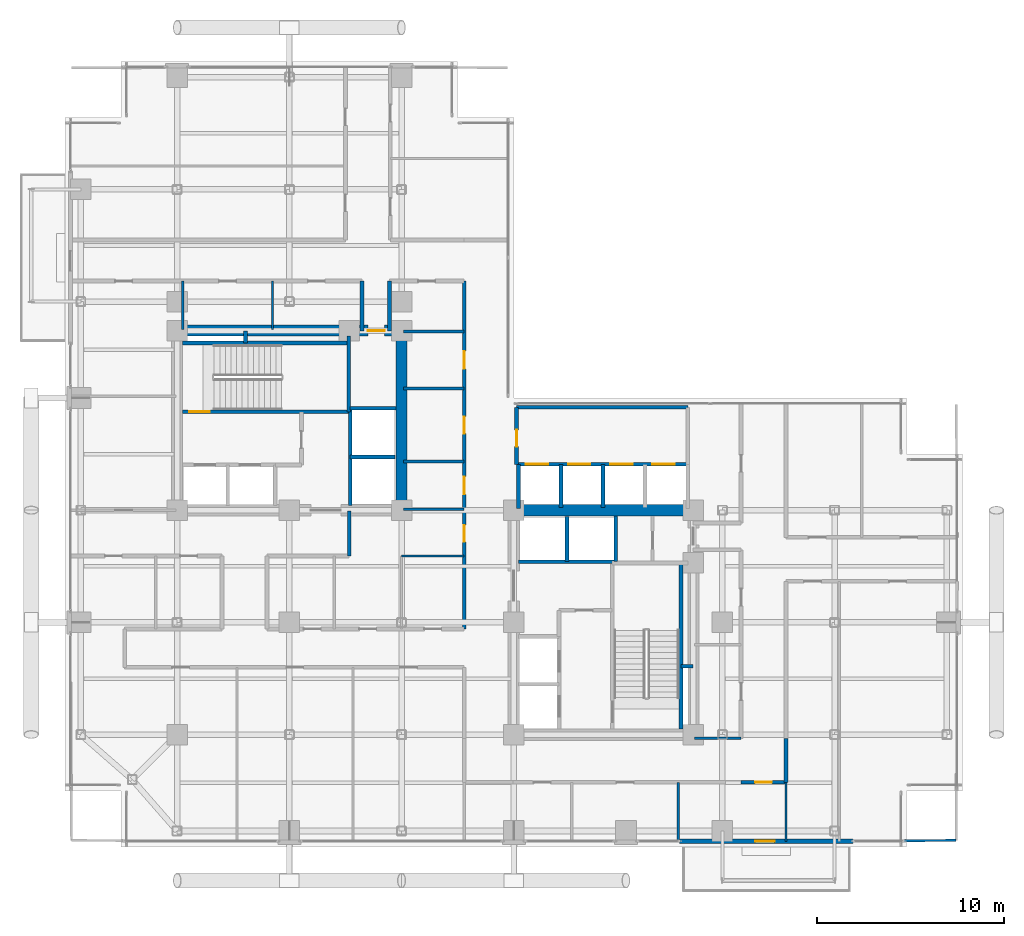
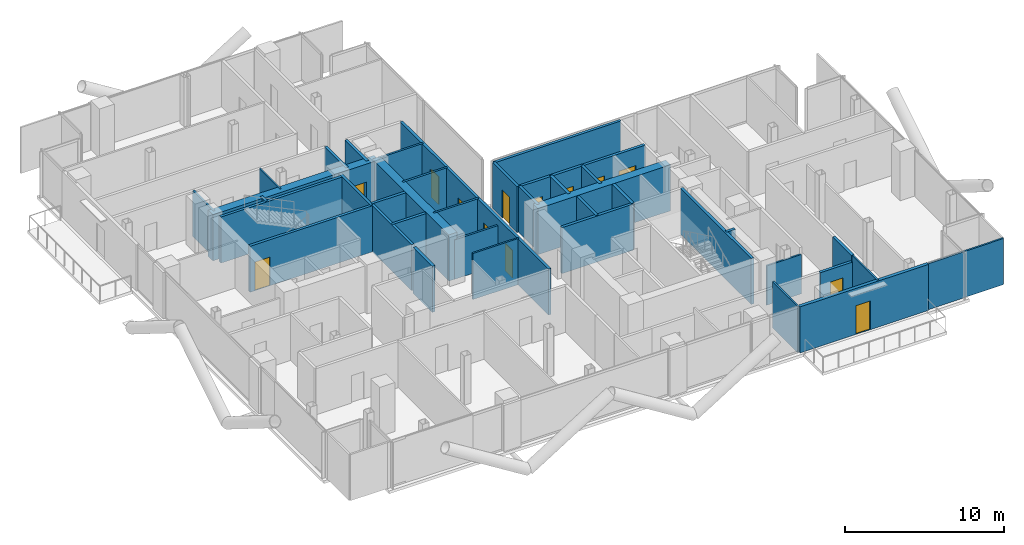
# One storey, part 23 of 28: 39 walls, 13 doors, 13 openings.
"""IFC4 building model written with IfcOpenShell, lengths in metres."""

import ifcopenshell
import ifcopenshell.guid

model = None  # the IFC model being written
_history = None  # IfcOwnerHistory: only IFC2X3 demands one
_inside = {}  # id of a spatial element -> (the spatial element, [elements in it])
_under = {}  # id of a project, library or spatial element -> (it, [spatial elements below it])
_declared = {}  # id of a project -> (the project, [libraries it declares])
_typed = {}  # id of a type object -> (the type object, [elements of that type])
_made_of = {}  # id of a material, layer set ... -> (it, [elements and type objects made of it])


def new_model(schema):
    """Start an empty IFC model of exactly this schema.

    Asked for "IFC4X3", IfcOpenShell would pick the latest addendum, in which some entities
    have other attributes; the version numbers below select the first issue.
    IFC2X3 requires an IfcOwnerHistory on every rooted entity: one is made here for all.
    """
    global model, _history
    if schema == "IFC4X3":
        model = ifcopenshell.file(schema_version=(4, 3, 0, 0))
    else:
        model = ifcopenshell.file(schema=schema)
    _inside.clear()
    _under.clear()
    _declared.clear()
    _typed.clear()
    _made_of.clear()
    _history = None
    if model.schema == "IFC2X3":
        org = make("IfcOrganization", Name="unknown")
        user = make(
            "IfcPersonAndOrganization",
            ThePerson=make("IfcPerson", FamilyName="unknown"),
            TheOrganization=org,
        )
        app = make(
            "IfcApplication",
            ApplicationDeveloper=org,
            Version="unknown",
            ApplicationFullName="unknown",
            ApplicationIdentifier="unknown",
        )
        _history = make(
            "IfcOwnerHistory",
            OwningUser=user,
            OwningApplication=app,
            ChangeAction="ADDED",
            CreationDate=0,
        )
    return model


def make(cls, **values):
    """One entity of the class cls with the attributes given. An attribute that is None is left unset."""
    return model.create_entity(
        cls, **{name: value for name, value in values.items() if value is not None}
    )


def rooted(cls, **values):
    """An entity with a GlobalId (a new one), such as an element, a storey or a relation."""
    return make(cls, GlobalId=ifcopenshell.guid.new(), OwnerHistory=_history, **values)


def si_unit(unit_type, name, prefix=None):
    """IfcSIUnit, for example si_unit("LENGTHUNIT", "METRE", prefix="MILLI")."""
    return make("IfcSIUnit", UnitType=unit_type, Prefix=prefix, Name=name)


def assignment(units):
    """IfcUnitAssignment: the units of a project."""
    return None if units is None else make("IfcUnitAssignment", Units=units)


def point(xyz):
    """IfcCartesianPoint."""
    return None if xyz is None else make("IfcCartesianPoint", Coordinates=xyz)


def direction(xyz):
    """IfcDirection."""
    return None if xyz is None else make("IfcDirection", DirectionRatios=xyz)


def frame(location, z_axis=None, x_axis=None):
    """IfcAxis2Placement3D, a coordinate frame: its origin and axes. An axis left out is left unset."""
    return make(
        "IfcAxis2Placement3D",
        Location=point(location),
        Axis=direction(z_axis),
        RefDirection=direction(x_axis),
    )


def frame_2d(location, x_axis=None):
    """IfcAxis2Placement2D, a coordinate frame in the plane: its origin and x axis."""
    return make(
        "IfcAxis2Placement2D", Location=point(location), RefDirection=direction(x_axis)
    )


def origin():
    """The frame at (0, 0, 0) with its axes left unset."""
    return frame((0.0, 0.0, 0.0))


def place(relative_to, where):
    """IfcLocalPlacement: puts the frame where relative to a parent placement (None: the world)."""
    return make(
        "IfcLocalPlacement", PlacementRelTo=relative_to, RelativePlacement=where
    )


def context(
    kind, dimensions, precision=None, world=None, true_north=None, identifier=None
):
    """IfcGeometricRepresentationContext, for example the 3D "Model" context."""
    return make(
        "IfcGeometricRepresentationContext",
        ContextIdentifier=identifier,
        ContextType=kind,
        CoordinateSpaceDimension=dimensions,
        Precision=precision,
        WorldCoordinateSystem=world,
        TrueNorth=true_north,
    )


def subcontext(parent, identifier, kind, view, scale=None):
    """IfcGeometricRepresentationSubContext, for example "Body" below "Model"."""
    return make(
        "IfcGeometricRepresentationSubContext",
        ContextIdentifier=identifier,
        ContextType=kind,
        ParentContext=parent,
        TargetScale=scale,
        TargetView=view,
    )


def project(units=None, contexts=None):
    """IfcProject with its units and contexts."""
    return rooted(
        "IfcProject",
        Name="project",
        RepresentationContexts=contexts,
        UnitsInContext=assignment(units),
    )


def spatial(cls, under=None, at=None, **own):
    """A site, building, storey or space (cls), placed at a placement, below another one or the project."""
    s = rooted(cls, ObjectPlacement=at, **own)
    if under is not None:
        _under.setdefault(under.id(), (under, []))[1].append(s)
    return s


def profile(cls, at=None, kind="AREA", **sizes):
    """A parametric profile (cls). Its sizes go by their IFC names, for example OverallWidth=200.0."""
    return make(cls, ProfileType=kind, Position=at, **sizes)


def rectangle(**sizes):
    """IfcRectangleProfileDef."""
    return profile("IfcRectangleProfileDef", **sizes)


def extrude(swept, where, along, depth):
    """IfcExtrudedAreaSolid: the profile swept, set in the frame where, extruded along a direction by depth."""
    return make(
        "IfcExtrudedAreaSolid",
        SweptArea=swept,
        Position=where,
        ExtrudedDirection=direction(along),
        Depth=depth,
    )


def shape(context_of_items, identifier, shape_type, items):
    """IfcShapeRepresentation: the items that make up one representation, for example the "Body"."""
    return make(
        "IfcShapeRepresentation",
        ContextOfItems=context_of_items,
        RepresentationIdentifier=identifier,
        RepresentationType=shape_type,
        Items=items,
    )


def material(Name=None, Category=None):
    """IfcMaterial."""
    return make("IfcMaterial", Name=Name, Category=Category)


def layer(
    of_material, thickness, ventilated=None, Name=None, Category=None, Priority=None
):
    """IfcMaterialLayer: one layer of a wall or slab, of a material (None: an air gap)."""
    return make(
        "IfcMaterialLayer",
        Material=of_material,
        LayerThickness=thickness,
        IsVentilated=ventilated,
        Name=Name,
        Category=Category,
        Priority=Priority,
    )


def layer_set(layers, Name=None):
    """IfcMaterialLayerSet."""
    return make("IfcMaterialLayerSet", MaterialLayers=layers, LayerSetName=Name)


def made_of(thing, what):
    """Note that an element or type object is made of a material, layer set ...; save() writes the relation."""
    if what is not None:
        _made_of.setdefault(what.id(), (what, []))[1].append(thing)
    return thing


def type_object(cls, material=None, **own):
    """A type object (cls), such as IfcWallType, which elements share."""
    return made_of(rooted(cls, **own), material)


def element(
    cls,
    number,
    at=None,
    inside=None,
    cuts=None,
    type_object=None,
    material=None,
    context=None,
    identifier="Body",
    shape_type=None,
    held_by="IfcProductDefinitionShape",
    body=None,
    shapes=None,
    **own,
):
    """One element of the class cls, such as IfcWall. Its Tag is "e" and its number.

    at: its placement. inside: the storey or other place that contains it. cuts: it is an
    opening in that element (IfcRelVoidsElement). A single representation is given by context,
    identifier, shape_type and body (its items); several are given by shapes. held_by: the class
    of the entity that holds the representations. save() writes the other relations.
    """
    e = rooted(cls, Tag="e%d" % number, ObjectPlacement=at, **own)
    if body is not None:
        shapes = [shape(context, identifier, shape_type, body)]
    if shapes is not None:
        e.Representation = make(held_by, Representations=shapes)
    if inside is not None:
        _inside.setdefault(inside.id(), (inside, []))[1].append(e)
    if cuts is not None:
        rooted(
            "IfcRelVoidsElement", RelatingBuildingElement=cuts, RelatedOpeningElement=e
        )
    if type_object is not None:
        _typed.setdefault(type_object.id(), (type_object, []))[1].append(e)
    return made_of(e, material)


def fill(opening, filler):
    """IfcRelFillsElement: the door or window that sits in an opening."""
    return rooted(
        "IfcRelFillsElement",
        RelatingOpeningElement=opening,
        RelatedBuildingElement=filler,
    )


def aggregate(whole, parts):
    """IfcRelAggregates: a whole, such as a stair, and the parts it consists of."""
    return rooted("IfcRelAggregates", RelatingObject=whole, RelatedObjects=parts)


def save(model, path):
    """Write the relations noted so far, then the file.

    IfcRelAggregates (storeys below a building ...), IfcRelContainedInSpatialStructure (elements
    in a storey), IfcRelDefinesByType, IfcRelAssociatesMaterial and IfcRelDeclares: one each for
    every whole, place, type object, material and project.
    """
    for whole, parts in _under.values():
        aggregate(whole, parts)
    for where, things in _inside.values():
        rooted(
            "IfcRelContainedInSpatialStructure",
            RelatedElements=things,
            RelatingStructure=where,
        )
    for kind, things in _typed.values():
        rooted("IfcRelDefinesByType", RelatedObjects=things, RelatingType=kind)
    for what, things in _made_of.values():
        rooted("IfcRelAssociatesMaterial", RelatedObjects=things, RelatingMaterial=what)
    for by, libraries in _declared.values():
        rooted("IfcRelDeclares", RelatingContext=by, RelatedDefinitions=libraries)
    model.write(path)


model = new_model("IFC4")

# Units and contexts
model_context = context("Model", 3, precision=1e-05, world=origin(), true_north=direction((0.0, 1.0)))
body_context = subcontext(model_context, "Body", "Model", "MODEL_VIEW")
ifc_project = project(units=[si_unit("LENGTHUNIT", "METRE"), si_unit("AREAUNIT", "SQUARE_METRE"), si_unit("VOLUMEUNIT", "CUBIC_METRE"), si_unit("PLANEANGLEUNIT", "RADIAN"), si_unit("MASSUNIT", "GRAM", prefix="KILO"), si_unit("THERMODYNAMICTEMPERATUREUNIT", "KELVIN"), si_unit("POWERUNIT", "WATT")], contexts=[model_context])

# Site, building, storey
site_placement = place(None, origin())
site = spatial("IfcSite", under=ifc_project, at=site_placement, CompositionType="ELEMENT")
building_placement = place(site_placement, origin())
building = spatial("IfcBuilding", under=site, at=building_placement, Name="Svarakhadi Broadcast Tower", CompositionType="ELEMENT")
storey_placement = place(building_placement, frame((0.0, 0.0, 153.14990234375)))
storey = spatial("IfcBuildingStorey", under=building, at=storey_placement, Name="L37", CompositionType="ELEMENT", Elevation=153.14990234375)

# Wall, opening, door
ifc_material_1 = material(Name="Concrete C40/50 (IS 456 M50)", Category="concrete")
ifc_layer_1 = layer(ifc_material_1, 0.239990234375)
ifc_layer_set_1 = layer_set([ifc_layer_1], Name="Concrete C40/50 (IS 456 M50)")
wall_type_1 = type_object("IfcWallType", Name="Wall_Ext_240", PredefinedType="SOLIDWALL", material=ifc_layer_set_1)
wall_1_placement = place(storey_placement, frame((42.14501953125, 0.300048828125, 0.0), z_axis=(0.0, 0.0, 1.0), x_axis=(-1.0, 0.0, 0.0)))
wall_1 = element("IfcWall", 1, at=wall_1_placement, inside=storey, type_object=wall_type_1, Name="L37 South Tree Balcony Spandrel Wall", PredefinedType="SOLIDWALL", context=body_context, shape_type="SweptSolid", body=[
    extrude(rectangle(XDim=9.2900390625, YDim=0.239990234375, at=frame_2d((4.64501953125, 0.0))), origin(), (0.0, 0.0, 1.0), 3.525146484375),
])
opening_1_placement = place(wall_1_placement, frame((4.199951171875, 0.0, 0.0)))
opening_1 = element("IfcOpeningElement", 2, at=opening_1_placement, cuts=wall_1, Name="Opening ED-05", PredefinedType="OPENING", context=body_context, shape_type="SweptSolid", body=[
    extrude(rectangle(XDim=1.050048828125, YDim=2.199951171875, at=frame_2d((0.52490234375, 1.10009765625))), frame((0.0, 0.1298828125, 0.0), z_axis=(0.0, -1.0, 0.0), x_axis=(1.0, 0.0, 0.0)), (0.0, 0.0, 1.0), 0.260009765625),
])
ifc_material_2 = material(Name="Anodised Bronze Aluminium AA 6063-T6", Category="aluminium")
door_type_1 = type_object("IfcDoorType", Name="Door_Ext_ED05", OperationType="SINGLE_SWING_LEFT", PredefinedType="DOOR", material=ifc_material_2)
door_1_placement = place(opening_1_placement, origin())
door_1 = element("IfcDoor", 3, at=door_1_placement, inside=storey, type_object=door_type_1, Name="L37 South Tree Balcony Door", OperationType="SINGLE_SWING_LEFT", OverallHeight=2.199951171875, OverallWidth=1.050048828125, PredefinedType="DOOR", context=body_context, shape_type="SweptSolid", body=[
    extrude(rectangle(XDim=1.050048828125, YDim=2.199951171875, at=frame_2d((0.52490234375, 1.10009765625))), frame((0.0, 0.02490234375, 0.0), z_axis=(0.0, -1.0, 0.0), x_axis=(1.0, 0.0, 0.0)), (0.0, 0.0, 1.0), 0.050048828125),
])
fill(opening_1, door_1)

# Walls
ifc_layer_2 = layer(ifc_material_1, 0.199951171875)
ifc_layer_set_2 = layer_set([ifc_layer_2], Name="Concrete C40/50 (IS 456 M50)")
wall_type_2 = type_object("IfcWallType", Name="Wall_Fire_200", PredefinedType="SOLIDWALL", material=ifc_layer_set_2)
for number, where, z_axis, x_axis, name in (
    (4, (9.659912109375, 26.93994140625, 0.0), (0.0, 0.0, 1.0), (0.0, 1.0, 0.0), "L37 Wet Riser Shaft East Wall"),
    (5, (32.93994140625, 9.659912109375, 0.0), (0.0, 0.0, 1.0), (1.0, 0.0, 0.0), "L37 HV Busduct Riser Shaft North Wall"),
):
    element("IfcWall", number, at=place(storey_placement, frame(where, z_axis=z_axis, x_axis=x_axis)), inside=storey, type_object=wall_type_2, Name=name, PredefinedType="SOLIDWALL", context=body_context, shape_type="SweptSolid", body=[
        extrude(rectangle(XDim=0.64013671875, YDim=0.199951171875, at=frame_2d((0.320068359375, 0.0))), origin(), (0.0, 0.0, 1.0), 3.525146484375),
    ])
wall_2_placement = place(storey_placement, frame((38.550048828125, 5.800048828125, 0.0), z_axis=(0.0, 0.0, 1.0), x_axis=(0.0, -1.0, 0.0)))
element("IfcWall", 6, at=wall_2_placement, inside=storey, type_object=wall_type_2, Name="L37 Zone 2/3 Corridor Wall", PredefinedType="SOLIDWALL", context=body_context, shape_type="SweptSolid", body=[
    extrude(rectangle(XDim=2.35009765625, YDim=0.199951171875, at=frame_2d((1.175048828125, 0.0))), origin(), (0.0, 0.0, 1.0), 3.525146484375),
])

# Wall, opening, door
wall_3_placement = place(storey_placement, frame((38.550048828125, 3.449951171875, 0.0), z_axis=(0.0, 0.0, 1.0), x_axis=(-1.0, 0.0, 0.0)))
wall_3 = element("IfcWall", 7, at=wall_3_placement, inside=storey, type_object=wall_type_2, Name="L37 Zone 2/3 Corridor Wall", PredefinedType="SOLIDWALL", context=body_context, shape_type="SweptSolid", body=[
    extrude(rectangle(XDim=2.400146484375, YDim=0.199951171875, at=frame_2d((1.2001953125, 0.0))), origin(), (0.0, 0.0, 1.0), 3.067138671875),
])
opening_2_placement = place(wall_3_placement, frame((0.75, 0.0, 0.0)))
opening_2 = element("IfcOpeningElement", 8, at=opening_2_placement, cuts=wall_3, Name="Opening D-15", PredefinedType="OPENING", context=body_context, shape_type="SweptSolid", body=[
    extrude(rectangle(XDim=0.89990234375, YDim=2.10009765625, at=frame_2d((0.449951171875, 1.050048828125))), frame((0.0, 0.10986328125, 0.0), z_axis=(0.0, -1.0, 0.0), x_axis=(1.0, 0.0, 0.0)), (0.0, 0.0, 1.0), 0.219970703125),
])
ifc_material_3 = material(Name="Solid-Core Teak Veneer Acoustic Timber Leaf", Category="wood")
door_type_2 = type_object("IfcDoorType", Name="Door_Int_D15", OperationType="SINGLE_SWING_RIGHT", PredefinedType="DOOR", material=ifc_material_3)
door_2_placement = place(opening_2_placement, origin())
door_2 = element("IfcDoor", 9, at=door_2_placement, inside=storey, type_object=door_type_2, Name="L37 Artisanal Espresso Bar Door", OperationType="SINGLE_SWING_RIGHT", OverallHeight=2.10009765625, OverallWidth=0.89990234375, PredefinedType="DOOR", context=body_context, shape_type="SweptSolid", body=[
    extrude(rectangle(XDim=0.89990234375, YDim=2.10009765625, at=frame_2d((0.449951171875, 1.050048828125))), frame((0.0, 0.02490234375, 0.0), z_axis=(0.0, -1.0, 0.0), x_axis=(1.0, 0.0, 0.0)), (0.0, 0.0, 1.0), 0.050048828125),
])
fill(opening_2, door_2)

# Wall
wall_4_placement = place(storey_placement, frame((15.199951171875, 17.949951171875, 0.0), z_axis=(0.0, 0.0, 1.0), x_axis=(0.0, -1.0, 0.0)))
element("IfcWall", 10, at=wall_4_placement, inside=storey, type_object=wall_type_2, Name="L37 Zone 2/3 Corridor Wall", PredefinedType="SOLIDWALL", context=body_context, shape_type="SweptSolid", body=[
    extrude(rectangle(XDim=2.39990234375, YDim=0.199951171875, at=frame_2d((1.199951171875, 0.0))), origin(), (0.0, 0.0, 1.0), 3.525146484375),
])

# Wall, openings, doors
wall_5_placement = place(storey_placement, frame((21.35009765625, 11.64990234375, 0.0), z_axis=(0.0, 0.0, 1.0), x_axis=(0.0, 1.0, 0.0)))
wall_5 = element("IfcWall", 11, at=wall_5_placement, inside=storey, type_object=wall_type_2, Name="L37 Zone 2/3 Corridor Wall", PredefinedType="SOLIDWALL", context=body_context, shape_type="SweptSolid", body=[
    extrude(rectangle(XDim=18.60009765625, YDim=0.199951171875, at=frame_2d((9.300048828125, 0.0))), origin(), (0.0, 0.0, 1.0), 3.525146484375),
])
opening_3_placement = place(wall_5_placement, frame((7.199951171875, 0.0, 0.0)))
opening_3 = element("IfcOpeningElement", 12, at=opening_3_placement, cuts=wall_5, Name="Opening D-06", PredefinedType="OPENING", context=body_context, shape_type="SweptSolid", body=[
    extrude(rectangle(XDim=0.949951171875, YDim=2.14990234375, at=frame_2d((0.47509765625, 1.074951171875))), frame((0.0, 0.10986328125, 0.0), z_axis=(0.0, -1.0, 0.0), x_axis=(1.0, 0.0, 0.0)), (0.0, 0.0, 1.0), 0.219970703125),
])
opening_4_placement = place(wall_5_placement, frame((10.449951171875, 0.0, 0.0)))
opening_4 = element("IfcOpeningElement", 13, at=opening_4_placement, cuts=wall_5, Name="Opening D-13", PredefinedType="OPENING", context=body_context, shape_type="SweptSolid", body=[
    extrude(rectangle(XDim=0.89990234375, YDim=2.10009765625, at=frame_2d((0.449951171875, 1.050048828125))), frame((0.0, 0.10986328125, 0.0), z_axis=(0.0, -1.0, 0.0), x_axis=(1.0, 0.0, 0.0)), (0.0, 0.0, 1.0), 0.219970703125),
])
opening_5_placement = place(wall_5_placement, frame((13.89990234375, 0.0, 0.0)))
opening_5 = element("IfcOpeningElement", 14, at=opening_5_placement, cuts=wall_5, Name="Opening D-06", PredefinedType="OPENING", context=body_context, shape_type="SweptSolid", body=[
    extrude(rectangle(XDim=0.949951171875, YDim=2.14990234375, at=frame_2d((0.47509765625, 1.074951171875))), frame((0.0, 0.10986328125, 0.0), z_axis=(0.0, -1.0, 0.0), x_axis=(1.0, 0.0, 0.0)), (0.0, 0.0, 1.0), 0.219970703125),
])
opening_6_placement = place(wall_5_placement, frame((4.64990234375, 0.0, 0.0)))
opening_6 = element("IfcOpeningElement", 15, at=opening_6_placement, cuts=wall_5, Name="Opening D-15", PredefinedType="OPENING", context=body_context, shape_type="SweptSolid", body=[
    extrude(rectangle(XDim=0.89990234375, YDim=2.10009765625, at=frame_2d((0.449951171875, 1.050048828125))), frame((0.0, 0.10986328125, 0.0), z_axis=(0.0, -1.0, 0.0), x_axis=(1.0, 0.0, 0.0)), (0.0, 0.0, 1.0), 0.219970703125),
])
door_type_3 = type_object("IfcDoorType", Name="Door_Closet_D13", OperationType="SINGLE_SWING_RIGHT", PredefinedType="DOOR", material=ifc_material_3)
door_3_placement = place(opening_4_placement, origin())
door_3 = element("IfcDoor", 16, at=door_3_placement, inside=storey, type_object=door_type_3, Name="L37 Accessible Guest Washroom WC Door", OperationType="SINGLE_SWING_RIGHT", OverallHeight=2.10009765625, OverallWidth=0.89990234375, PredefinedType="DOOR", context=body_context, shape_type="SweptSolid", body=[
    extrude(rectangle(XDim=0.89990234375, YDim=2.10009765625, at=frame_2d((0.449951171875, 1.050048828125))), frame((0.0, 0.02490234375, 0.0), z_axis=(0.0, -1.0, 0.0), x_axis=(1.0, 0.0, 0.0)), (0.0, 0.0, 1.0), 0.050048828125),
])
fill(opening_4, door_3)
door_4_placement = place(opening_6_placement, origin())
door_4 = element("IfcDoor", 17, at=door_4_placement, inside=storey, type_object=door_type_2, Name="L37 Executive Review Pod Door", OperationType="SINGLE_SWING_RIGHT", OverallHeight=2.10009765625, OverallWidth=0.89990234375, PredefinedType="DOOR", context=body_context, shape_type="SweptSolid", body=[
    extrude(rectangle(XDim=0.89990234375, YDim=2.10009765625, at=frame_2d((0.449951171875, 1.050048828125))), frame((0.0, 0.02490234375, 0.0), z_axis=(0.0, -1.0, 0.0), x_axis=(1.0, 0.0, 0.0)), (0.0, 0.0, 1.0), 0.050048828125),
])
fill(opening_6, door_4)
door_type_4 = type_object("IfcDoorType", Name="Door_Office_D06", OperationType="SINGLE_SWING_LEFT", PredefinedType="DOOR", material=ifc_material_3)
door_5_placement = place(opening_3_placement, origin())
door_5 = element("IfcDoor", 18, at=door_5_placement, inside=storey, type_object=door_type_4, Name="L37 Broadcast Editorial Review Office Door", OperationType="SINGLE_SWING_LEFT", OverallHeight=2.14990234375, OverallWidth=0.949951171875, PredefinedType="DOOR", context=body_context, shape_type="SweptSolid", body=[
    extrude(rectangle(XDim=0.949951171875, YDim=2.14990234375, at=frame_2d((0.47509765625, 1.074951171875))), frame((0.0, 0.02490234375, 0.0), z_axis=(0.0, -1.0, 0.0), x_axis=(1.0, 0.0, 0.0)), (0.0, 0.0, 1.0), 0.050048828125),
])
fill(opening_3, door_5)
door_6_placement = place(opening_5_placement, origin())
door_6 = element("IfcDoor", 19, at=door_6_placement, inside=storey, type_object=door_type_4, Name="L37 Quiet Focus Booth Door", OperationType="SINGLE_SWING_LEFT", OverallHeight=2.14990234375, OverallWidth=0.949951171875, PredefinedType="DOOR", context=body_context, shape_type="SweptSolid", body=[
    extrude(rectangle(XDim=0.949951171875, YDim=2.14990234375, at=frame_2d((0.47509765625, 1.074951171875))), frame((0.0, 0.02490234375, 0.0), z_axis=(0.0, -1.0, 0.0), x_axis=(1.0, 0.0, 0.0)), (0.0, 0.0, 1.0), 0.050048828125),
])
fill(opening_5, door_6)

# Walls
for number, where, z_axis, x_axis, name in (
    (20, (17.35009765625, 30.25, 0.0), (0.0, 0.0, 1.0), (0.0, -1.0, 0.0), "L37 Zone 2/3 Corridor Wall"),
    (21, (15.8798828125, 27.580078125, 0.0), (0.0, 0.0, 1.0), (0.0, 1.0, 0.0), "L37 Zone 2/3 Corridor Wall"),
):
    element("IfcWall", number, at=place(storey_placement, frame(where, z_axis=z_axis, x_axis=x_axis)), inside=storey, type_object=wall_type_2, Name=name, PredefinedType="SOLIDWALL", context=body_context, shape_type="SweptSolid", body=[
        extrude(rectangle(XDim=2.669921875, YDim=0.199951171875, at=frame_2d((1.3349609375, 0.0))), origin(), (0.0, 0.0, 1.0), 3.525146484375),
    ])
ifc_material_4 = material(Name="Fire-Rated Moisture-Resistant Gypsum Board Partition", Category="gypsum")
ifc_layer_3 = layer(ifc_material_4, 0.125)
ifc_layer_set_3 = layer_set([ifc_layer_3], Name="Fire-Rated Moisture-Resistant Gypsum Board Partition")
wall_type_3 = type_object("IfcWallType", Name="Wall_Part_125", PredefinedType="PARTITIONING", material=ifc_layer_set_3)
wall_6_placement = place(storey_placement, frame((18.0, 15.550048828125, 0.0), z_axis=(0.0, 0.0, 1.0), x_axis=(1.0, 0.0, 0.0)))
element("IfcWall", 22, at=wall_6_placement, inside=storey, type_object=wall_type_3, Name="L37 Accessible Floor Washroom WC Wall", PredefinedType="PARTITIONING", context=body_context, shape_type="SweptSolid", body=[
    extrude(rectangle(XDim=3.35009765625, YDim=0.125, at=frame_2d((1.675048828125, 0.0))), origin(), (0.0, 0.0, 1.0), 3.525146484375),
])
for number, where, z_axis, x_axis, name in (
    (23, (32.800048828125, 0.300048828125, 0.0), (0.0, 0.0, 1.0), (0.0, 1.0, 0.0), "L37 Client Preview Briefing Room Wall"),
    (24, (38.550048828125, 0.300048828125, 0.0), (0.0, 0.0, 1.0), (0.0, 1.0, 0.0), "L37 Artisanal Espresso Bar Wall"),
):
    element("IfcWall", number, at=place(storey_placement, frame(where, z_axis=z_axis, x_axis=x_axis)), inside=storey, type_object=wall_type_3, Name=name, PredefinedType="PARTITIONING", context=body_context, shape_type="SweptSolid", body=[
        extrude(rectangle(XDim=3.14990234375, YDim=0.125, at=frame_2d((1.574951171875, 0.0))), origin(), (0.0, 0.0, 1.0), 3.525146484375),
    ])
for number, where, z_axis, x_axis, name in (
    (25, (6.300048828125, 27.64990234375, 0.0), (0.0, 0.0, 1.0), (0.0, 1.0, 0.0), "L37 Acoustic Dubbing Booth Wall"),
    (26, (11.10009765625, 27.64990234375, 0.0), (0.0, 0.0, 1.0), (0.0, 1.0, 0.0), "L37 Acoustic Dubbing Booth Wall"),
):
    element("IfcWall", number, at=place(storey_placement, frame(where, z_axis=z_axis, x_axis=x_axis)), inside=storey, type_object=wall_type_3, Name=name, PredefinedType="PARTITIONING", context=body_context, shape_type="SweptSolid", body=[
        extrude(rectangle(XDim=2.60009765625, YDim=0.125, at=frame_2d((1.300048828125, 0.0))), origin(), (0.0, 0.0, 1.0), 3.525146484375),
    ])
wall_7_placement = place(storey_placement, frame((33.64990234375, 5.800048828125, 0.0), z_axis=(0.0, 0.0, 1.0), x_axis=(1.0, 0.0, 0.0)))
element("IfcWall", 27, at=wall_7_placement, inside=storey, type_object=wall_type_3, Name="L37 Media Playout Monitoring Office Wall", PredefinedType="PARTITIONING", context=body_context, shape_type="SweptSolid", body=[
    extrude(rectangle(XDim=2.5, YDim=0.125, at=frame_2d((1.25, 0.0))), origin(), (0.0, 0.0, 1.0), 3.01708984375),
])
wall_8_placement = place(storey_placement, frame((42.14501953125, 0.305908203125, 0.0), z_axis=(0.0, 0.0, 1.0), x_axis=(0.999967782628, 0.008027060877, 0.0)))
element("IfcWall", 28, at=wall_8_placement, inside=storey, type_object=wall_type_3, Name="L37 Conductor Study Wall", PredefinedType="PARTITIONING", context=body_context, shape_type="SweptSolid", body=[
    extrude(rectangle(XDim=5.505126953125, YDim=0.125, at=frame_2d((2.75244140625, 0.0))), origin(), (0.0, 0.0, 1.0), 3.525146484375),
])
ifc_material_5 = material(Name="Autoclaved Aerated Concrete Blockwork 150 mm", Category="masonry")
ifc_layer_4 = layer(ifc_material_5, 0.14990234375)
ifc_layer_set_4 = layer_set([ifc_layer_4], Name="Autoclaved Aerated Concrete Blockwork 150 mm")
wall_type_4 = type_object("IfcWallType", Name="Wall_Part_150", PredefinedType="PARTITIONING", material=ifc_layer_set_4)
wall_9_placement = place(storey_placement, frame((18.10009765625, 18.050048828125, 0.0), z_axis=(0.0, 0.0, 1.0), x_axis=(1.0, 0.0, 0.0)))
element("IfcWall", 29, at=wall_9_placement, inside=storey, type_object=wall_type_4, Name="L37 Broadcast Editorial Review Office Wall", PredefinedType="PARTITIONING", context=body_context, shape_type="SweptSolid", body=[
    extrude(rectangle(XDim=3.25, YDim=0.14990234375, at=frame_2d((1.625, 0.0))), origin(), (0.0, 0.0, 1.0), 3.01708984375),
])
for number, where, z_axis, x_axis, name in (
    (30, (18.10009765625, 20.60009765625, 0.0), (0.0, 0.0, 1.0), (1.0, 0.0, 0.0), "L37 Broadcast Editorial Review Office Wall"),
    (31, (18.10009765625, 24.5, 0.0), (0.0, 0.0, 1.0), (1.0, 0.0, 0.0), "L37 Accessible Guest Washroom WC Wall"),
    (32, (18.10009765625, 27.550048828125, 0.0), (0.0, 0.0, 1.0), (1.0, 0.0, 0.0), "L37 Quiet Focus Booth Wall"),
):
    element("IfcWall", number, at=place(storey_placement, frame(where, z_axis=z_axis, x_axis=x_axis)), inside=storey, type_object=wall_type_4, Name=name, PredefinedType="PARTITIONING", context=body_context, shape_type="SweptSolid", body=[
        extrude(rectangle(XDim=3.25, YDim=0.14990234375, at=frame_2d((1.625, 0.0))), origin(), (0.0, 0.0, 1.0), 3.525146484375),
    ])

# Wall, opening, door
ifc_material_6 = material(Name="Concrete C50/60 (IS 456 M60)", Category="concrete")
ifc_layer_5 = layer(ifc_material_6, 0.199951171875)
ifc_layer_set_5 = layer_set([ifc_layer_5], Name="Concrete C50/60 (IS 456 M60)")
wall_type_5 = type_object("IfcWallType", Name="Wall_Shear_200", PredefinedType="SHEAR", material=ifc_layer_set_5)
wall_10_placement = place(storey_placement, frame((6.300048828125, 23.260009765625, 0.0), z_axis=(0.0, 0.0, 1.0), x_axis=(1.0, 0.0, 0.0)))
wall_10 = element("IfcWall", 33, at=wall_10_placement, inside=storey, type_object=wall_type_5, Name="L37 Stair ST-01 South RC Shaft Wall", PredefinedType="SHEAR", context=body_context, shape_type="SweptSolid", body=[
    extrude(rectangle(XDim=8.8798828125, YDim=0.199951171875, at=frame_2d((4.43994140625, 0.0))), origin(), (0.0, 0.0, 1.0), 3.525146484375),
])
opening_7_placement = place(wall_10_placement, frame((0.35009765625, 0.0, 0.0)))
opening_7 = element("IfcOpeningElement", 34, at=opening_7_placement, cuts=wall_10, Name="Opening D-01", PredefinedType="OPENING", context=body_context, shape_type="SweptSolid", body=[
    extrude(rectangle(XDim=1.10009765625, YDim=2.199951171875, at=frame_2d((0.550048828125, 1.10009765625))), frame((0.0, 0.10986328125, 0.0), z_axis=(0.0, -1.0, 0.0), x_axis=(1.0, 0.0, 0.0)), (0.0, 0.0, 1.0), 0.219970703125),
])
ifc_material_7 = material(Name="Galvanised Powder-Coated Fire-Rated Steel Leaf", Category="steel")
door_type_5 = type_object("IfcDoorType", Name="Door_Stair_D01", OperationType="SINGLE_SWING_LEFT", PredefinedType="DOOR", material=ifc_material_7)
door_7_placement = place(opening_7_placement, origin())
door_7 = element("IfcDoor", 35, at=door_7_placement, inside=storey, type_object=door_type_5, Name="L37 Protected Exit Stair ST-01 Fire Door", OperationType="SINGLE_SWING_LEFT", OverallHeight=2.199951171875, OverallWidth=1.10009765625, PredefinedType="DOOR", context=body_context, shape_type="SweptSolid", body=[
    extrude(rectangle(XDim=1.10009765625, YDim=2.199951171875, at=frame_2d((0.550048828125, 1.10009765625))), frame((0.0, 0.02490234375, 0.0), z_axis=(0.0, -1.0, 0.0), x_axis=(1.0, 0.0, 0.0)), (0.0, 0.0, 1.0), 0.050048828125),
])
fill(opening_7, door_7)

# Walls
wall_11_placement = place(storey_placement, frame((6.300048828125, 26.93994140625, 0.0), z_axis=(0.0, 0.0, 1.0), x_axis=(1.0, 0.0, 0.0)))
element("IfcWall", 36, at=wall_11_placement, inside=storey, type_object=wall_type_5, Name="L37 Stair ST-01 North RC Shaft Wall", PredefinedType="SHEAR", context=body_context, shape_type="SweptSolid", body=[
    extrude(rectangle(XDim=8.8798828125, YDim=0.199951171875, at=frame_2d((4.43994140625, 0.0))), origin(), (0.0, 0.0, 1.0), 3.525146484375),
])
wall_12_placement = place(storey_placement, frame((15.179931640625, 23.260009765625, 0.0), z_axis=(0.0, 0.0, 1.0), x_axis=(0.0, 1.0, 0.0)))
element("IfcWall", 37, at=wall_12_placement, inside=storey, type_object=wall_type_5, Name="L37 Stair ST-01 East RC Shaft Wall", PredefinedType="SHEAR", context=body_context, shape_type="SweptSolid", body=[
    extrude(rectangle(XDim=4.0400390625, YDim=0.199951171875, at=frame_2d((2.02001953125, 0.0))), origin(), (0.0, 0.0, 1.0), 3.525146484375),
])
wall_13_placement = place(storey_placement, frame((32.93994140625, 6.300048828125, 0.0), z_axis=(0.0, 0.0, 1.0), x_axis=(0.0, 1.0, 0.0)))
element("IfcWall", 38, at=wall_13_placement, inside=storey, type_object=wall_type_5, Name="L37 Stair ST-02 East RC Shaft Wall", PredefinedType="SHEAR", context=body_context, shape_type="SweptSolid", body=[
    extrude(rectangle(XDim=8.8798828125, YDim=0.199951171875, at=frame_2d((4.43994140625, 0.0))), origin(), (0.0, 0.0, 1.0), 3.525146484375),
])
wall_14_placement = place(storey_placement, frame((15.25, 18.25, 0.0), z_axis=(0.0, 0.0, 1.0), x_axis=(0.0, 1.0, 0.0)))
element("IfcWall", 39, at=wall_14_placement, inside=storey, type_object=wall_type_5, Name="L37 High-Rise Lift LF-13/14 West Shaft Wall", PredefinedType="SHEAR", context=body_context, shape_type="SweptSolid", body=[
    extrude(rectangle(XDim=5.199951171875, YDim=0.199951171875, at=frame_2d((2.60009765625, 0.0))), origin(), (0.0, 0.0, 1.0), 3.525146484375),
])
wall_15_placement = place(storey_placement, frame((15.25, 20.85009765625, 0.0), z_axis=(0.0, 0.0, 1.0), x_axis=(1.0, 0.0, 0.0)))
element("IfcWall", 40, at=wall_15_placement, inside=storey, type_object=wall_type_5, Name="L37 High-Rise Lift LF-13/14 Divider", PredefinedType="SHEAR", context=body_context, shape_type="SweptSolid", body=[
    extrude(rectangle(XDim=2.39990234375, YDim=0.199951171875, at=frame_2d((1.199951171875, 0.0))), origin(), (0.0, 0.0, 1.0), 3.525146484375),
])
wall_16_placement = place(storey_placement, frame((15.25, 23.449951171875, 0.0), z_axis=(0.0, 0.0, 1.0), x_axis=(1.0, 0.0, 0.0)))
element("IfcWall", 41, at=wall_16_placement, inside=storey, type_object=wall_type_5, Name="L37 High-Rise Lift LF-13/14 North Wall", PredefinedType="SHEAR", context=body_context, shape_type="SweptSolid", body=[
    extrude(rectangle(XDim=2.449951171875, YDim=0.199951171875, at=frame_2d((1.22509765625, 0.0))), origin(), (0.0, 0.0, 1.0), 3.525146484375),
])
wall_17_placement = place(storey_placement, frame((24.25, 15.25, 0.0), z_axis=(0.0, 0.0, 1.0), x_axis=(1.0, 0.0, 0.0)))
element("IfcWall", 42, at=wall_17_placement, inside=storey, type_object=wall_type_5, Name="L37 High-Rise Lift LF-15/16 South Shaft Wall", PredefinedType="SHEAR", context=body_context, shape_type="SweptSolid", body=[
    extrude(rectangle(XDim=5.199951171875, YDim=0.199951171875, at=frame_2d((2.60009765625, 0.0))), origin(), (0.0, 0.0, 1.0), 3.525146484375),
])
wall_18_placement = place(storey_placement, frame((26.85009765625, 15.25, 0.0), z_axis=(0.0, 0.0, 1.0), x_axis=(0.0, 1.0, 0.0)))
element("IfcWall", 43, at=wall_18_placement, inside=storey, type_object=wall_type_5, Name="L37 High-Rise Lift LF-15/16 Divider", PredefinedType="SHEAR", context=body_context, shape_type="SweptSolid", body=[
    extrude(rectangle(XDim=2.39990234375, YDim=0.199951171875, at=frame_2d((1.199951171875, 0.0))), origin(), (0.0, 0.0, 1.0), 3.525146484375),
])
wall_19_placement = place(storey_placement, frame((29.449951171875, 15.25, 0.0), z_axis=(0.0, 0.0, 1.0), x_axis=(0.0, 1.0, 0.0)))
element("IfcWall", 44, at=wall_19_placement, inside=storey, type_object=wall_type_5, Name="L37 High-Rise Lift LF-15/16 East Wall", PredefinedType="SHEAR", context=body_context, shape_type="SweptSolid", body=[
    extrude(rectangle(XDim=2.449951171875, YDim=0.199951171875, at=frame_2d((1.22509765625, 0.0))), origin(), (0.0, 0.0, 1.0), 3.525146484375),
])
wall_20_placement = place(storey_placement, frame((24.25, 18.10009765625, 0.0), z_axis=(0.0, 0.0, 1.0), x_axis=(0.0, 1.0, 0.0)))
element("IfcWall", 45, at=wall_20_placement, inside=storey, type_object=wall_type_5, Name="L37 Bank B West Shaft Wall", PredefinedType="SHEAR", context=body_context, shape_type="SweptSolid", body=[
    extrude(rectangle(XDim=2.349853515625, YDim=0.199951171875, at=frame_2d((1.1748046875, 0.0))), origin(), (0.0, 0.0, 1.0), 3.525146484375),
])

# Wall, openings, doors
wall_21_placement = place(storey_placement, frame((24.25, 20.449951171875, 0.0), z_axis=(0.0, 0.0, 1.0), x_axis=(1.0, 0.0, 0.0)))
wall_21 = element("IfcWall", 46, at=wall_21_placement, inside=storey, type_object=wall_type_5, Name="L37 Bank B North Landing Wall", PredefinedType="SHEAR", context=body_context, shape_type="SweptSolid", body=[
    extrude(rectangle(XDim=9.050048828125, YDim=0.199951171875, at=frame_2d((4.52490234375, 0.0))), origin(), (0.0, 0.0, 1.0), 3.525146484375),
])
opening_8_placement = place(wall_21_placement, frame((0.39990234375, 0.0, 0.0)))
opening_8 = element("IfcOpeningElement", 47, at=opening_8_placement, cuts=wall_21, Name="Opening LD-02", PredefinedType="OPENING", context=body_context, shape_type="SweptSolid", body=[
    extrude(rectangle(XDim=1.199951171875, YDim=2.199951171875, at=frame_2d((0.60009765625, 1.10009765625))), frame((0.0, 0.10986328125, 0.0), z_axis=(0.0, -1.0, 0.0), x_axis=(1.0, 0.0, 0.0)), (0.0, 0.0, 1.0), 0.219970703125),
])
opening_9_placement = place(wall_21_placement, frame((2.64990234375, 0.0, 0.0)))
opening_9 = element("IfcOpeningElement", 48, at=opening_9_placement, cuts=wall_21, Name="Opening LD-02", PredefinedType="OPENING", context=body_context, shape_type="SweptSolid", body=[
    extrude(rectangle(XDim=1.199951171875, YDim=2.199951171875, at=frame_2d((0.60009765625, 1.10009765625))), frame((0.0, 0.10986328125, 0.0), z_axis=(0.0, -1.0, 0.0), x_axis=(1.0, 0.0, 0.0)), (0.0, 0.0, 1.0), 0.219970703125),
])
opening_10_placement = place(wall_21_placement, frame((4.89990234375, 0.0, 0.0)))
opening_10 = element("IfcOpeningElement", 49, at=opening_10_placement, cuts=wall_21, Name="Opening LD-02", PredefinedType="OPENING", context=body_context, shape_type="SweptSolid", body=[
    extrude(rectangle(XDim=1.199951171875, YDim=2.199951171875, at=frame_2d((0.60009765625, 1.10009765625))), frame((0.0, 0.10986328125, 0.0), z_axis=(0.0, -1.0, 0.0), x_axis=(1.0, 0.0, 0.0)), (0.0, 0.0, 1.0), 0.219970703125),
])
opening_11_placement = place(wall_21_placement, frame((7.14990234375, 0.0, 0.0)))
opening_11 = element("IfcOpeningElement", 50, at=opening_11_placement, cuts=wall_21, Name="Opening LD-02", PredefinedType="OPENING", context=body_context, shape_type="SweptSolid", body=[
    extrude(rectangle(XDim=1.199951171875, YDim=2.199951171875, at=frame_2d((0.60009765625, 1.10009765625))), frame((0.0, 0.10986328125, 0.0), z_axis=(0.0, -1.0, 0.0), x_axis=(1.0, 0.0, 0.0)), (0.0, 0.0, 1.0), 0.219970703125),
])
door_type_6 = type_object("IfcDoorType", Name="Door_Lift_LD02", OperationType="SLIDING_TO_RIGHT", PredefinedType="DOOR", material=ifc_material_7)
door_8_placement = place(opening_8_placement, origin())
door_8 = element("IfcDoor", 51, at=door_8_placement, inside=storey, type_object=door_type_6, Name="L37 Mid-Rise Lift LF-09 Landing Door", OperationType="SLIDING_TO_RIGHT", OverallHeight=2.199951171875, OverallWidth=1.199951171875, PredefinedType="DOOR", context=body_context, shape_type="SweptSolid", body=[
    extrude(rectangle(XDim=1.199951171875, YDim=2.199951171875, at=frame_2d((0.60009765625, 1.10009765625))), frame((0.0, 0.02490234375, 0.0), z_axis=(0.0, -1.0, 0.0), x_axis=(1.0, 0.0, 0.0)), (0.0, 0.0, 1.0), 0.050048828125),
])
fill(opening_8, door_8)
door_9_placement = place(opening_9_placement, origin())
door_9 = element("IfcDoor", 52, at=door_9_placement, inside=storey, type_object=door_type_6, Name="L37 Mid-Rise Lift LF-10 Landing Door", OperationType="SLIDING_TO_RIGHT", OverallHeight=2.199951171875, OverallWidth=1.199951171875, PredefinedType="DOOR", context=body_context, shape_type="SweptSolid", body=[
    extrude(rectangle(XDim=1.199951171875, YDim=2.199951171875, at=frame_2d((0.60009765625, 1.10009765625))), frame((0.0, 0.02490234375, 0.0), z_axis=(0.0, -1.0, 0.0), x_axis=(1.0, 0.0, 0.0)), (0.0, 0.0, 1.0), 0.050048828125),
])
fill(opening_9, door_9)
door_10_placement = place(opening_10_placement, origin())
door_10 = element("IfcDoor", 53, at=door_10_placement, inside=storey, type_object=door_type_6, Name="L37 Mid-Rise Lift LF-11 Landing Door", OperationType="SLIDING_TO_RIGHT", OverallHeight=2.199951171875, OverallWidth=1.199951171875, PredefinedType="DOOR", context=body_context, shape_type="SweptSolid", body=[
    extrude(rectangle(XDim=1.199951171875, YDim=2.199951171875, at=frame_2d((0.60009765625, 1.10009765625))), frame((0.0, 0.02490234375, 0.0), z_axis=(0.0, -1.0, 0.0), x_axis=(1.0, 0.0, 0.0)), (0.0, 0.0, 1.0), 0.050048828125),
])
fill(opening_10, door_10)
door_11_placement = place(opening_11_placement, origin())
door_11 = element("IfcDoor", 54, at=door_11_placement, inside=storey, type_object=door_type_6, Name="L37 Mid-Rise Lift LF-12 Landing Door", OperationType="SLIDING_TO_RIGHT", OverallHeight=2.199951171875, OverallWidth=1.199951171875, PredefinedType="DOOR", context=body_context, shape_type="SweptSolid", body=[
    extrude(rectangle(XDim=1.199951171875, YDim=2.199951171875, at=frame_2d((0.60009765625, 1.10009765625))), frame((0.0, 0.02490234375, 0.0), z_axis=(0.0, -1.0, 0.0), x_axis=(1.0, 0.0, 0.0)), (0.0, 0.0, 1.0), 0.050048828125),
])
fill(opening_11, door_11)

# Walls
for number, where, z_axis, x_axis, name in (
    (55, (26.52001953125, 18.14990234375, 0.0), (0.0, 0.0, 1.0), (0.0, 1.0, 0.0), "L37 Bank B Divider"),
    (56, (28.77001953125, 18.14990234375, 0.0), (0.0, 0.0, 1.0), (0.0, 1.0, 0.0), "L37 Bank B Divider"),
):
    element("IfcWall", number, at=place(storey_placement, frame(where, z_axis=z_axis, x_axis=x_axis)), inside=storey, type_object=wall_type_5, Name=name, PredefinedType="SHEAR", context=body_context, shape_type="SweptSolid", body=[
        extrude(rectangle(XDim=2.300048828125, YDim=0.199951171875, at=frame_2d((1.14990234375, 0.0))), origin(), (0.0, 0.0, 1.0), 3.525146484375),
    ])
wall_22_placement = place(storey_placement, frame((24.14990234375, 23.5, 0.0), z_axis=(0.0, 0.0, 1.0), x_axis=(1.0, 0.0, 0.0)))
element("IfcWall", 57, at=wall_22_placement, inside=storey, type_object=wall_type_5, Name="L37 Bank B Lift Hall North Wall", PredefinedType="SHEAR", context=body_context, shape_type="SweptSolid", body=[
    extrude(rectangle(XDim=9.150146484375, YDim=0.199951171875, at=frame_2d((4.5751953125, 0.0))), origin(), (0.0, 0.0, 1.0), 3.525146484375),
])

# Wall, opening, door
wall_23_placement = place(storey_placement, frame((24.14990234375, 20.449951171875, 0.0), z_axis=(0.0, 0.0, 1.0), x_axis=(0.0, 1.0, 0.0)))
wall_23 = element("IfcWall", 58, at=wall_23_placement, inside=storey, type_object=wall_type_5, Name="L37 Bank B Lift Hall West Wall", PredefinedType="SHEAR", context=body_context, shape_type="SweptSolid", body=[
    extrude(rectangle(XDim=3.050048828125, YDim=0.199951171875, at=frame_2d((1.52490234375, 0.0))), origin(), (0.0, 0.0, 1.0), 3.525146484375),
])
opening_12_placement = place(wall_23_placement, frame((0.949951171875, 0.0, 0.0)))
opening_12 = element("IfcOpeningElement", 59, at=opening_12_placement, cuts=wall_23, Name="Opening D-04", PredefinedType="OPENING", context=body_context, shape_type="SweptSolid", body=[
    extrude(rectangle(XDim=0.89990234375, YDim=2.14990234375, at=frame_2d((0.449951171875, 1.074951171875))), frame((0.0, 0.10986328125, 0.0), z_axis=(0.0, -1.0, 0.0), x_axis=(1.0, 0.0, 0.0)), (0.0, 0.0, 1.0), 0.219970703125),
])
door_type_7 = type_object("IfcDoorType", Name="Door_Fire_D04", OperationType="SINGLE_SWING_RIGHT", PredefinedType="DOOR", material=ifc_material_7)
door_12_placement = place(opening_12_placement, origin())
door_12 = element("IfcDoor", 60, at=door_12_placement, inside=storey, type_object=door_type_7, Name="L37 Mid-Rise Lift Hall West Corridor Door", OperationType="SINGLE_SWING_RIGHT", OverallHeight=2.14990234375, OverallWidth=0.89990234375, PredefinedType="DOOR", context=body_context, shape_type="SweptSolid", body=[
    extrude(rectangle(XDim=0.89990234375, YDim=2.14990234375, at=frame_2d((0.449951171875, 1.074951171875))), frame((0.0, 0.02490234375, 0.0), z_axis=(0.0, -1.0, 0.0), x_axis=(1.0, 0.0, 0.0)), (0.0, 0.0, 1.0), 0.050048828125),
])
fill(opening_12, door_12)

ifc_material_8 = material(Name="Concrete C60/75 (IS 456 M70)", Category="concrete")
ifc_layer_6 = layer(ifc_material_8, 0.60009765625)
ifc_layer_set_6 = layer_set([ifc_layer_6], Name="Concrete C60/75 (IS 456 M70)")
wall_type_6 = type_object("IfcWallType", Name="Wall_Shear_600", PredefinedType="SHEAR", material=ifc_layer_set_6)
wall_24_placement = place(storey_placement, frame((6.0, 27.60009765625, 0.0), z_axis=(0.0, 0.0, 1.0), x_axis=(1.0, 0.0, 0.0)))
wall_24 = element("IfcWall", 61, at=wall_24_placement, inside=storey, type_object=wall_type_6, Name="L37 West Core North Shear Wall", PredefinedType="SHEAR", context=body_context, shape_type="SweptSolid", body=[
    extrude(rectangle(XDim=12.0, YDim=0.60009765625, at=frame_2d((6.0, 0.0))), origin(), (0.0, 0.0, 1.0), 3.525146484375),
])
opening_13_placement = place(wall_24_placement, frame((10.199951171875, 0.0, 0.0)))
opening_13 = element("IfcOpeningElement", 62, at=opening_13_placement, cuts=wall_24, Name="Opening D-04", PredefinedType="OPENING", context=body_context, shape_type="SweptSolid", body=[
    extrude(rectangle(XDim=0.89990234375, YDim=2.14990234375, at=frame_2d((0.449951171875, 1.074951171875))), frame((0.0, 0.31005859375, 0.0), z_axis=(0.0, -1.0, 0.0), x_axis=(1.0, 0.0, 0.0)), (0.0, 0.0, 1.0), 0.6201171875),
])
door_13_placement = place(opening_13_placement, origin())
door_13 = element("IfcDoor", 63, at=door_13_placement, inside=storey, type_object=door_type_7, Name="L37 Core Meter Cupboard Door", OperationType="SINGLE_SWING_RIGHT", OverallHeight=2.14990234375, OverallWidth=0.89990234375, PredefinedType="DOOR", context=body_context, shape_type="SweptSolid", body=[
    extrude(rectangle(XDim=0.89990234375, YDim=2.14990234375, at=frame_2d((0.449951171875, 1.074951171875))), frame((0.0, 0.02490234375, 0.0), z_axis=(0.0, -1.0, 0.0), x_axis=(1.0, 0.0, 0.0)), (0.0, 0.0, 1.0), 0.050048828125),
])
fill(opening_13, door_13)

# Walls
for number, where, z_axis, x_axis, name in (
    (64, (18.0, 18.0, 0.0), (0.0, 0.0, 1.0), (0.0, 1.0, 0.0), "L37 West Core East Shear Wall"),
    (65, (24.0, 18.0, 0.0), (0.0, 0.0, 1.0), (1.0, 0.0, 0.0), "L37 East Core North Shear Wall"),
):
    element("IfcWall", number, at=place(storey_placement, frame(where, z_axis=z_axis, x_axis=x_axis)), inside=storey, type_object=wall_type_6, Name=name, PredefinedType="SHEAR", context=body_context, shape_type="SweptSolid", body=[
        extrude(rectangle(XDim=9.60009765625, YDim=0.60009765625, at=frame_2d((4.800048828125, 0.0))), origin(), (0.0, 0.0, 1.0), 3.525146484375),
    ])

save(model, "model.ifc")
